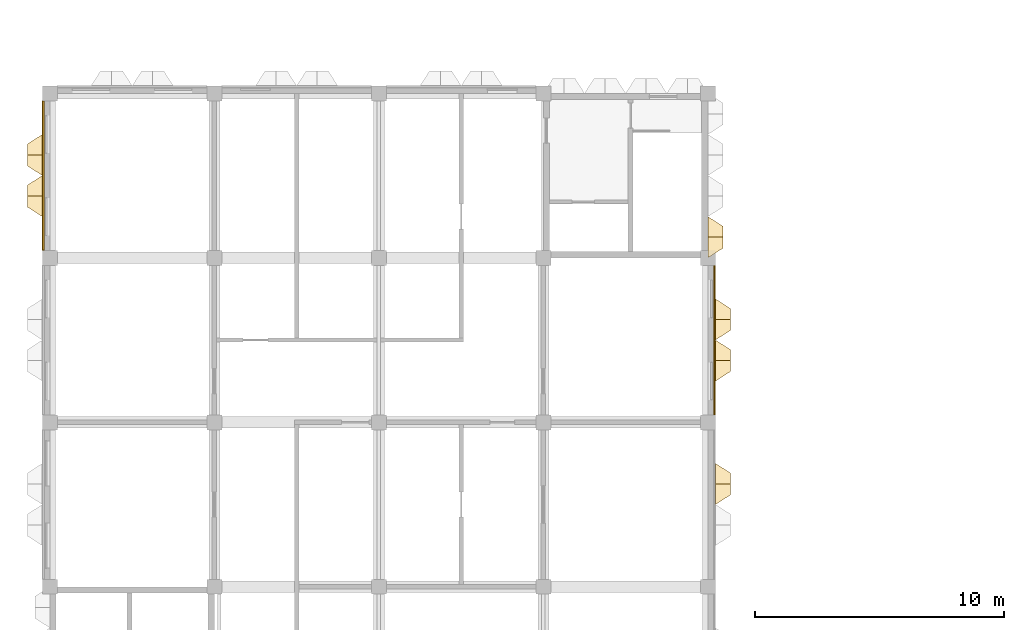
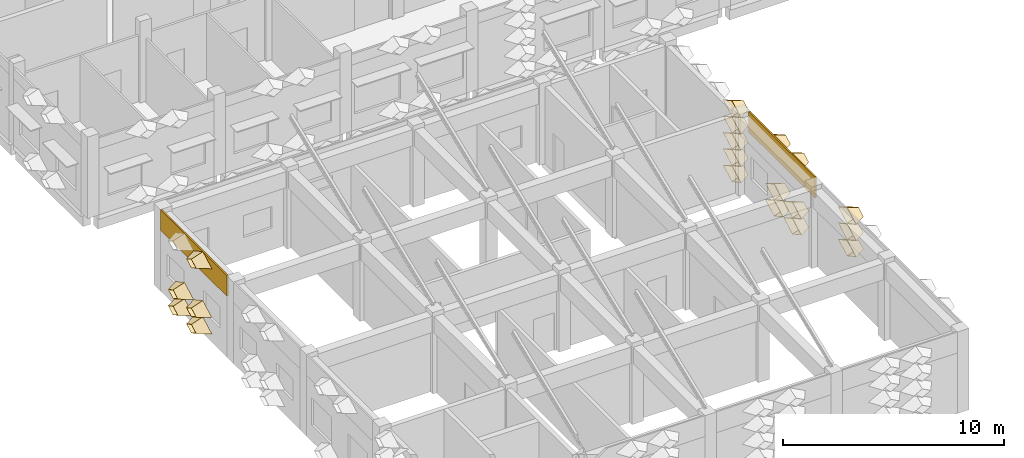
# One storey, part 82 of 102: 21 coverings.
"""IFC4 building model written with IfcOpenShell, lengths in metres."""

from ifc_helpers import new_model, entity, si_unit, direction, frame, frame_2d, origin, place, context, subcontext, project, spatial, rectangle, extrude, material, layer, layer_set, type_object, element, save


model = new_model("IFC4")

# Units and contexts
model_context = context("Model", 3, precision=1e-05, world=origin(), true_north=direction((0.0, 1.0)))
body_context = subcontext(model_context, "Body", "Model", "MODEL_VIEW")
ifc_project = project(units=[si_unit("LENGTHUNIT", "METRE"), si_unit("AREAUNIT", "SQUARE_METRE"), si_unit("VOLUMEUNIT", "CUBIC_METRE"), si_unit("PLANEANGLEUNIT", "RADIAN"), si_unit("MASSUNIT", "GRAM", prefix="KILO")], contexts=[model_context])

# Site, building, storey
site_placement = place(None, origin())
site = spatial("IfcSite", under=ifc_project, at=site_placement, CompositionType="ELEMENT")
building_placement = place(site_placement, origin())
building = spatial("IfcBuilding", under=site, at=building_placement, Name="Lantern Court Research Institute", CompositionType="ELEMENT")
storey_placement = place(building_placement, frame((0.0, 0.0, 9.89990234375)))
storey = spatial("IfcBuildingStorey", under=building, at=storey_placement, Name="L02", CompositionType="ELEMENT", Elevation=9.89990234375)

# Coverings
ifc_material_1 = material(Name="Aluminium composite panel with mineral wool insulation", Category="aluminium")
ifc_layer_1 = layer(ifc_material_1, 0.074951171875)
ifc_layer_set_1 = layer_set([ifc_layer_1], Name="Aluminium composite panel with mineral wool insulation")
covering_type_1 = type_object("IfcCoveringType", Name="Edge fascia panel 75 aluminium faced", PredefinedType="CLADDING", material=ifc_layer_set_1)
for number, where, z_axis, x_axis, name in (
    (1, (26.66259765625, 69.0, 3.35009765625), (0.0, 0.0, 1.0), (0.0, -1.0, 0.0), "Edge fascia V3E L02 03"),
    (2, (-0.262451171875, 69.60009765625, 3.35009765625), (0.0, 0.0, 1.0), (0.0, 1.0, 0.0), "Edge fascia V3W L02 03"),
):
    element("IfcCovering", number, at=place(storey_placement, frame(where, z_axis=z_axis, x_axis=x_axis)), inside=storey, type_object=covering_type_1, Name=name, PredefinedType="CLADDING", context=body_context, shape_type="SweptSolid", body=[
        extrude(rectangle(XDim=6.0, YDim=0.074951171875, at=frame_2d((3.0, 0.0))), origin(), (0.0, 0.0, 1.0), 1.14990234375),
    ])
ifc_material_2 = material(Name="Anodised aluminium", Category="aluminium")
ifc_layer_2 = layer(ifc_material_2, 0.01611328125)
ifc_layer_set_2 = layer_set([ifc_layer_2], Name="Anodised aluminium")
covering_type_2 = type_object("IfcCoveringType", Name="Fin cassette 1650 x 900 x 600 aluminium", PredefinedType="CLADDING", material=ifc_layer_set_2)
covering_1_placement = place(storey_placement, frame((26.39990234375, 70.125, 0.4501953125), z_axis=(1.0, 0.0, 0.0), x_axis=(0.0, 1.0, 0.0)))
cartesian_point_1 = entity("IfcCartesianPoint", [0.824951171875, 0.0])
cartesian_point_2 = entity("IfcCartesianPoint", [0.79150390625, 0.0])
cartesian_point_3 = entity("IfcCartesianPoint", [0.44189453125, 0.0])
cartesian_point_4 = entity("IfcCartesianPoint", [0.43359375, 0.0])
element("IfcCovering", 3, at=covering_1_placement, inside=storey, type_object=covering_type_2, Name="Fin cassette V3E-L02 1.43", PredefinedType="CLADDING", context=body_context, shape_type="SweptSolid", body=[
    entity("IfcExtrudedAreaSolidTapered", entity("IfcArbitraryProfileDefWithVoids", "AREA", None, entity("IfcPolyline", [cartesian_point_1, entity("IfcCartesianPoint", [0.0, 0.449951171875]), entity("IfcCartesianPoint", [-0.824951171875, 0.0]), entity("IfcCartesianPoint", [0.0, -0.449951171875]), cartesian_point_1]), [entity("IfcPolyline", [cartesian_point_2, entity("IfcCartesianPoint", [0.0, 0.431884765625]), entity("IfcCartesianPoint", [-0.79150390625, 0.0]), entity("IfcCartesianPoint", [0.0, -0.431884765625]), cartesian_point_2])]), entity("IfcAxis2Placement3D", entity("IfcCartesianPoint", [0.0, 0.0, 0.0])), entity("IfcDirection", [0.0, 0.0, 1.0]), 0.60009765625, entity("IfcArbitraryProfileDefWithVoids", "AREA", None, entity("IfcPolyline", [cartesian_point_3, entity("IfcCartesianPoint", [0.0, 0.240966796875]), entity("IfcCartesianPoint", [-0.44189453125, 0.0]), entity("IfcCartesianPoint", [0.0, -0.240966796875]), cartesian_point_3]), [entity("IfcPolyline", [cartesian_point_4, entity("IfcCartesianPoint", [0.0, 0.236572265625]), entity("IfcCartesianPoint", [-0.43359375, 0.0]), entity("IfcCartesianPoint", [0.0, -0.236572265625]), cartesian_point_4])])),
])
covering_2_placement = place(storey_placement, frame((26.39990234375, 70.125, 1.35009765625), z_axis=(1.0, 0.0, 0.0), x_axis=(0.0, 1.0, 0.0)))
cartesian_point_5 = entity("IfcCartesianPoint", [0.824951171875, 0.0])
cartesian_point_6 = entity("IfcCartesianPoint", [0.79150390625, 0.0])
cartesian_point_7 = entity("IfcCartesianPoint", [0.44189453125, 0.0])
cartesian_point_8 = entity("IfcCartesianPoint", [0.43359375, 0.0])
element("IfcCovering", 4, at=covering_2_placement, inside=storey, type_object=covering_type_2, Name="Fin cassette V3E-L02 2.43", PredefinedType="CLADDING", context=body_context, shape_type="SweptSolid", body=[
    entity("IfcExtrudedAreaSolidTapered", entity("IfcArbitraryProfileDefWithVoids", "AREA", None, entity("IfcPolyline", [cartesian_point_5, entity("IfcCartesianPoint", [0.0, 0.449951171875]), entity("IfcCartesianPoint", [-0.824951171875, 0.0]), entity("IfcCartesianPoint", [0.0, -0.449951171875]), cartesian_point_5]), [entity("IfcPolyline", [cartesian_point_6, entity("IfcCartesianPoint", [0.0, 0.431884765625]), entity("IfcCartesianPoint", [-0.79150390625, 0.0]), entity("IfcCartesianPoint", [0.0, -0.431884765625]), cartesian_point_6])]), entity("IfcAxis2Placement3D", entity("IfcCartesianPoint", [0.0, 0.0, 0.0])), entity("IfcDirection", [0.0, 0.0, 1.0]), 0.60009765625, entity("IfcArbitraryProfileDefWithVoids", "AREA", None, entity("IfcPolyline", [cartesian_point_7, entity("IfcCartesianPoint", [0.0, 0.240966796875]), entity("IfcCartesianPoint", [-0.44189453125, 0.0]), entity("IfcCartesianPoint", [0.0, -0.240966796875]), cartesian_point_7]), [entity("IfcPolyline", [cartesian_point_8, entity("IfcCartesianPoint", [0.0, 0.236572265625]), entity("IfcCartesianPoint", [-0.43359375, 0.0]), entity("IfcCartesianPoint", [0.0, -0.236572265625]), cartesian_point_8])])),
])
covering_3_placement = place(storey_placement, frame((26.39990234375, 70.125, 2.25), z_axis=(1.0, 0.0, 0.0), x_axis=(0.0, 1.0, 0.0)))
cartesian_point_9 = entity("IfcCartesianPoint", [0.824951171875, 0.0])
cartesian_point_10 = entity("IfcCartesianPoint", [0.79150390625, 0.0])
cartesian_point_11 = entity("IfcCartesianPoint", [0.44189453125, 0.0])
cartesian_point_12 = entity("IfcCartesianPoint", [0.43359375, 0.0])
element("IfcCovering", 5, at=covering_3_placement, inside=storey, type_object=covering_type_2, Name="Fin cassette V3E-L02 3.43", PredefinedType="CLADDING", context=body_context, shape_type="SweptSolid", body=[
    entity("IfcExtrudedAreaSolidTapered", entity("IfcArbitraryProfileDefWithVoids", "AREA", None, entity("IfcPolyline", [cartesian_point_9, entity("IfcCartesianPoint", [0.0, 0.449951171875]), entity("IfcCartesianPoint", [-0.824951171875, 0.0]), entity("IfcCartesianPoint", [0.0, -0.449951171875]), cartesian_point_9]), [entity("IfcPolyline", [cartesian_point_10, entity("IfcCartesianPoint", [0.0, 0.431884765625]), entity("IfcCartesianPoint", [-0.79150390625, 0.0]), entity("IfcCartesianPoint", [0.0, -0.431884765625]), cartesian_point_10])]), entity("IfcAxis2Placement3D", entity("IfcCartesianPoint", [0.0, 0.0, 0.0])), entity("IfcDirection", [0.0, 0.0, 1.0]), 0.60009765625, entity("IfcArbitraryProfileDefWithVoids", "AREA", None, entity("IfcPolyline", [cartesian_point_11, entity("IfcCartesianPoint", [0.0, 0.240966796875]), entity("IfcCartesianPoint", [-0.44189453125, 0.0]), entity("IfcCartesianPoint", [0.0, -0.240966796875]), cartesian_point_11]), [entity("IfcPolyline", [cartesian_point_12, entity("IfcCartesianPoint", [0.0, 0.236572265625]), entity("IfcCartesianPoint", [-0.43359375, 0.0]), entity("IfcCartesianPoint", [0.0, -0.236572265625]), cartesian_point_12])])),
])
covering_4_placement = place(storey_placement, frame((26.39990234375, 70.125, 3.150146484375), z_axis=(1.0, 0.0, 0.0), x_axis=(0.0, 1.0, 0.0)))
cartesian_point_13 = entity("IfcCartesianPoint", [0.824951171875, 0.0])
cartesian_point_14 = entity("IfcCartesianPoint", [0.79150390625, 0.0])
cartesian_point_15 = entity("IfcCartesianPoint", [0.44189453125, 0.0])
cartesian_point_16 = entity("IfcCartesianPoint", [0.43359375, 0.0])
element("IfcCovering", 6, at=covering_4_placement, inside=storey, type_object=covering_type_2, Name="Fin cassette V3E-L02 4.43", PredefinedType="CLADDING", context=body_context, shape_type="SweptSolid", body=[
    entity("IfcExtrudedAreaSolidTapered", entity("IfcArbitraryProfileDefWithVoids", "AREA", None, entity("IfcPolyline", [cartesian_point_13, entity("IfcCartesianPoint", [0.0, 0.449951171875]), entity("IfcCartesianPoint", [-0.824951171875, 0.0]), entity("IfcCartesianPoint", [0.0, -0.449951171875]), cartesian_point_13]), [entity("IfcPolyline", [cartesian_point_14, entity("IfcCartesianPoint", [0.0, 0.431884765625]), entity("IfcCartesianPoint", [-0.79150390625, 0.0]), entity("IfcCartesianPoint", [0.0, -0.431884765625]), cartesian_point_14])]), entity("IfcAxis2Placement3D", entity("IfcCartesianPoint", [0.0, 0.0, 0.0])), entity("IfcDirection", [0.0, 0.0, 1.0]), 0.60009765625, entity("IfcArbitraryProfileDefWithVoids", "AREA", None, entity("IfcPolyline", [cartesian_point_15, entity("IfcCartesianPoint", [0.0, 0.240966796875]), entity("IfcCartesianPoint", [-0.44189453125, 0.0]), entity("IfcCartesianPoint", [0.0, -0.240966796875]), cartesian_point_15]), [entity("IfcPolyline", [cartesian_point_16, entity("IfcCartesianPoint", [0.0, 0.236572265625]), entity("IfcCartesianPoint", [-0.43359375, 0.0]), entity("IfcCartesianPoint", [0.0, -0.236572265625]), cartesian_point_16])])),
])
covering_5_placement = place(storey_placement, frame((26.39990234375, 70.125, 4.050048828125), z_axis=(1.0, 0.0, 0.0), x_axis=(0.0, 1.0, 0.0)))
cartesian_point_17 = entity("IfcCartesianPoint", [0.824951171875, 0.0])
cartesian_point_18 = entity("IfcCartesianPoint", [0.79150390625, 0.0])
cartesian_point_19 = entity("IfcCartesianPoint", [0.44189453125, 0.0])
cartesian_point_20 = entity("IfcCartesianPoint", [0.43359375, 0.0])
element("IfcCovering", 7, at=covering_5_placement, inside=storey, type_object=covering_type_2, Name="Fin cassette V3E-L02 5.43", PredefinedType="CLADDING", context=body_context, shape_type="SweptSolid", body=[
    entity("IfcExtrudedAreaSolidTapered", entity("IfcArbitraryProfileDefWithVoids", "AREA", None, entity("IfcPolyline", [cartesian_point_17, entity("IfcCartesianPoint", [0.0, 0.449951171875]), entity("IfcCartesianPoint", [-0.824951171875, 0.0]), entity("IfcCartesianPoint", [0.0, -0.449951171875]), cartesian_point_17]), [entity("IfcPolyline", [cartesian_point_18, entity("IfcCartesianPoint", [0.0, 0.431884765625]), entity("IfcCartesianPoint", [-0.79150390625, 0.0]), entity("IfcCartesianPoint", [0.0, -0.431884765625]), cartesian_point_18])]), entity("IfcAxis2Placement3D", entity("IfcCartesianPoint", [0.0, 0.0, 0.0])), entity("IfcDirection", [0.0, 0.0, 1.0]), 0.60009765625, entity("IfcArbitraryProfileDefWithVoids", "AREA", None, entity("IfcPolyline", [cartesian_point_19, entity("IfcCartesianPoint", [0.0, 0.240966796875]), entity("IfcCartesianPoint", [-0.44189453125, 0.0]), entity("IfcCartesianPoint", [0.0, -0.240966796875]), cartesian_point_19]), [entity("IfcPolyline", [cartesian_point_20, entity("IfcCartesianPoint", [0.0, 0.236572265625]), entity("IfcCartesianPoint", [-0.43359375, 0.0]), entity("IfcCartesianPoint", [0.0, -0.236572265625]), cartesian_point_20])])),
])
covering_6_placement = place(storey_placement, frame((26.699951171875, 65.175048828125, 0.4501953125), z_axis=(1.0, 0.0, 0.0), x_axis=(0.0, 1.0, 0.0)))
cartesian_point_21 = entity("IfcCartesianPoint", [0.824951171875, 0.0])
cartesian_point_22 = entity("IfcCartesianPoint", [0.79150390625, 0.0])
cartesian_point_23 = entity("IfcCartesianPoint", [0.44189453125, 0.0])
cartesian_point_24 = entity("IfcCartesianPoint", [0.43359375, 0.0])
element("IfcCovering", 8, at=covering_6_placement, inside=storey, type_object=covering_type_2, Name="Fin cassette V3E-L02 1.40", PredefinedType="CLADDING", context=body_context, shape_type="SweptSolid", body=[
    entity("IfcExtrudedAreaSolidTapered", entity("IfcArbitraryProfileDefWithVoids", "AREA", None, entity("IfcPolyline", [cartesian_point_21, entity("IfcCartesianPoint", [0.0, 0.449951171875]), entity("IfcCartesianPoint", [-0.824951171875, 0.0]), entity("IfcCartesianPoint", [0.0, -0.449951171875]), cartesian_point_21]), [entity("IfcPolyline", [cartesian_point_22, entity("IfcCartesianPoint", [0.0, 0.431884765625]), entity("IfcCartesianPoint", [-0.79150390625, 0.0]), entity("IfcCartesianPoint", [0.0, -0.431884765625]), cartesian_point_22])]), entity("IfcAxis2Placement3D", entity("IfcCartesianPoint", [0.0, 0.0, 0.0])), entity("IfcDirection", [0.0, 0.0, 1.0]), 0.60009765625, entity("IfcArbitraryProfileDefWithVoids", "AREA", None, entity("IfcPolyline", [cartesian_point_23, entity("IfcCartesianPoint", [0.0, 0.240966796875]), entity("IfcCartesianPoint", [-0.44189453125, 0.0]), entity("IfcCartesianPoint", [0.0, -0.240966796875]), cartesian_point_23]), [entity("IfcPolyline", [cartesian_point_24, entity("IfcCartesianPoint", [0.0, 0.236572265625]), entity("IfcCartesianPoint", [-0.43359375, 0.0]), entity("IfcCartesianPoint", [0.0, -0.236572265625]), cartesian_point_24])])),
])
covering_7_placement = place(storey_placement, frame((26.699951171875, 66.824951171875, 0.4501953125), z_axis=(1.0, 0.0, 0.0), x_axis=(0.0, 1.0, 0.0)))
cartesian_point_25 = entity("IfcCartesianPoint", [0.824951171875, 0.0])
cartesian_point_26 = entity("IfcCartesianPoint", [0.79150390625, 0.0])
cartesian_point_27 = entity("IfcCartesianPoint", [0.44189453125, 0.0])
cartesian_point_28 = entity("IfcCartesianPoint", [0.43359375, 0.0])
element("IfcCovering", 9, at=covering_7_placement, inside=storey, type_object=covering_type_2, Name="Fin cassette V3E-L02 1.41", PredefinedType="CLADDING", context=body_context, shape_type="SweptSolid", body=[
    entity("IfcExtrudedAreaSolidTapered", entity("IfcArbitraryProfileDefWithVoids", "AREA", None, entity("IfcPolyline", [cartesian_point_25, entity("IfcCartesianPoint", [0.0, 0.449951171875]), entity("IfcCartesianPoint", [-0.824951171875, 0.0]), entity("IfcCartesianPoint", [0.0, -0.449951171875]), cartesian_point_25]), [entity("IfcPolyline", [cartesian_point_26, entity("IfcCartesianPoint", [0.0, 0.431884765625]), entity("IfcCartesianPoint", [-0.79150390625, 0.0]), entity("IfcCartesianPoint", [0.0, -0.431884765625]), cartesian_point_26])]), entity("IfcAxis2Placement3D", entity("IfcCartesianPoint", [0.0, 0.0, 0.0])), entity("IfcDirection", [0.0, 0.0, 1.0]), 0.60009765625, entity("IfcArbitraryProfileDefWithVoids", "AREA", None, entity("IfcPolyline", [cartesian_point_27, entity("IfcCartesianPoint", [0.0, 0.240966796875]), entity("IfcCartesianPoint", [-0.44189453125, 0.0]), entity("IfcCartesianPoint", [0.0, -0.240966796875]), cartesian_point_27]), [entity("IfcPolyline", [cartesian_point_28, entity("IfcCartesianPoint", [0.0, 0.236572265625]), entity("IfcCartesianPoint", [-0.43359375, 0.0]), entity("IfcCartesianPoint", [0.0, -0.236572265625]), cartesian_point_28])])),
])
covering_8_placement = place(storey_placement, frame((26.699951171875, 65.175048828125, 1.35009765625), z_axis=(1.0, 0.0, 0.0), x_axis=(0.0, 1.0, 0.0)))
cartesian_point_29 = entity("IfcCartesianPoint", [0.824951171875, 0.0])
cartesian_point_30 = entity("IfcCartesianPoint", [0.79150390625, 0.0])
cartesian_point_31 = entity("IfcCartesianPoint", [0.44189453125, 0.0])
cartesian_point_32 = entity("IfcCartesianPoint", [0.43359375, 0.0])
element("IfcCovering", 10, at=covering_8_placement, inside=storey, type_object=covering_type_2, Name="Fin cassette V3E-L02 2.40", PredefinedType="CLADDING", context=body_context, shape_type="SweptSolid", body=[
    entity("IfcExtrudedAreaSolidTapered", entity("IfcArbitraryProfileDefWithVoids", "AREA", None, entity("IfcPolyline", [cartesian_point_29, entity("IfcCartesianPoint", [0.0, 0.449951171875]), entity("IfcCartesianPoint", [-0.824951171875, 0.0]), entity("IfcCartesianPoint", [0.0, -0.449951171875]), cartesian_point_29]), [entity("IfcPolyline", [cartesian_point_30, entity("IfcCartesianPoint", [0.0, 0.431884765625]), entity("IfcCartesianPoint", [-0.79150390625, 0.0]), entity("IfcCartesianPoint", [0.0, -0.431884765625]), cartesian_point_30])]), entity("IfcAxis2Placement3D", entity("IfcCartesianPoint", [0.0, 0.0, 0.0])), entity("IfcDirection", [0.0, 0.0, 1.0]), 0.60009765625, entity("IfcArbitraryProfileDefWithVoids", "AREA", None, entity("IfcPolyline", [cartesian_point_31, entity("IfcCartesianPoint", [0.0, 0.240966796875]), entity("IfcCartesianPoint", [-0.44189453125, 0.0]), entity("IfcCartesianPoint", [0.0, -0.240966796875]), cartesian_point_31]), [entity("IfcPolyline", [cartesian_point_32, entity("IfcCartesianPoint", [0.0, 0.236572265625]), entity("IfcCartesianPoint", [-0.43359375, 0.0]), entity("IfcCartesianPoint", [0.0, -0.236572265625]), cartesian_point_32])])),
])
covering_9_placement = place(storey_placement, frame((26.699951171875, 66.824951171875, 1.35009765625), z_axis=(1.0, 0.0, 0.0), x_axis=(0.0, 1.0, 0.0)))
cartesian_point_33 = entity("IfcCartesianPoint", [0.824951171875, 0.0])
cartesian_point_34 = entity("IfcCartesianPoint", [0.79150390625, 0.0])
cartesian_point_35 = entity("IfcCartesianPoint", [0.44189453125, 0.0])
cartesian_point_36 = entity("IfcCartesianPoint", [0.43359375, 0.0])
element("IfcCovering", 11, at=covering_9_placement, inside=storey, type_object=covering_type_2, Name="Fin cassette V3E-L02 2.41", PredefinedType="CLADDING", context=body_context, shape_type="SweptSolid", body=[
    entity("IfcExtrudedAreaSolidTapered", entity("IfcArbitraryProfileDefWithVoids", "AREA", None, entity("IfcPolyline", [cartesian_point_33, entity("IfcCartesianPoint", [0.0, 0.449951171875]), entity("IfcCartesianPoint", [-0.824951171875, 0.0]), entity("IfcCartesianPoint", [0.0, -0.449951171875]), cartesian_point_33]), [entity("IfcPolyline", [cartesian_point_34, entity("IfcCartesianPoint", [0.0, 0.431884765625]), entity("IfcCartesianPoint", [-0.79150390625, 0.0]), entity("IfcCartesianPoint", [0.0, -0.431884765625]), cartesian_point_34])]), entity("IfcAxis2Placement3D", entity("IfcCartesianPoint", [0.0, 0.0, 0.0])), entity("IfcDirection", [0.0, 0.0, 1.0]), 0.60009765625, entity("IfcArbitraryProfileDefWithVoids", "AREA", None, entity("IfcPolyline", [cartesian_point_35, entity("IfcCartesianPoint", [0.0, 0.240966796875]), entity("IfcCartesianPoint", [-0.44189453125, 0.0]), entity("IfcCartesianPoint", [0.0, -0.240966796875]), cartesian_point_35]), [entity("IfcPolyline", [cartesian_point_36, entity("IfcCartesianPoint", [0.0, 0.236572265625]), entity("IfcCartesianPoint", [-0.43359375, 0.0]), entity("IfcCartesianPoint", [0.0, -0.236572265625]), cartesian_point_36])])),
])
covering_10_placement = place(storey_placement, frame((26.699951171875, 60.22509765625, 2.25), z_axis=(1.0, 0.0, 0.0), x_axis=(0.0, 1.0, 0.0)))
cartesian_point_37 = entity("IfcCartesianPoint", [0.824951171875, 0.0])
cartesian_point_38 = entity("IfcCartesianPoint", [0.79150390625, 0.0])
cartesian_point_39 = entity("IfcCartesianPoint", [0.44189453125, 0.0])
cartesian_point_40 = entity("IfcCartesianPoint", [0.43359375, 0.0])
element("IfcCovering", 12, at=covering_10_placement, inside=storey, type_object=covering_type_2, Name="Fin cassette V3E-L02 3.37", PredefinedType="CLADDING", context=body_context, shape_type="SweptSolid", body=[
    entity("IfcExtrudedAreaSolidTapered", entity("IfcArbitraryProfileDefWithVoids", "AREA", None, entity("IfcPolyline", [cartesian_point_37, entity("IfcCartesianPoint", [0.0, 0.449951171875]), entity("IfcCartesianPoint", [-0.824951171875, 0.0]), entity("IfcCartesianPoint", [0.0, -0.449951171875]), cartesian_point_37]), [entity("IfcPolyline", [cartesian_point_38, entity("IfcCartesianPoint", [0.0, 0.431884765625]), entity("IfcCartesianPoint", [-0.79150390625, 0.0]), entity("IfcCartesianPoint", [0.0, -0.431884765625]), cartesian_point_38])]), entity("IfcAxis2Placement3D", entity("IfcCartesianPoint", [0.0, 0.0, 0.0])), entity("IfcDirection", [0.0, 0.0, 1.0]), 0.60009765625, entity("IfcArbitraryProfileDefWithVoids", "AREA", None, entity("IfcPolyline", [cartesian_point_39, entity("IfcCartesianPoint", [0.0, 0.240966796875]), entity("IfcCartesianPoint", [-0.44189453125, 0.0]), entity("IfcCartesianPoint", [0.0, -0.240966796875]), cartesian_point_39]), [entity("IfcPolyline", [cartesian_point_40, entity("IfcCartesianPoint", [0.0, 0.236572265625]), entity("IfcCartesianPoint", [-0.43359375, 0.0]), entity("IfcCartesianPoint", [0.0, -0.236572265625]), cartesian_point_40])])),
])
covering_11_placement = place(storey_placement, frame((26.699951171875, 60.22509765625, 3.150146484375), z_axis=(1.0, 0.0, 0.0), x_axis=(0.0, 1.0, 0.0)))
cartesian_point_41 = entity("IfcCartesianPoint", [0.824951171875, 0.0])
cartesian_point_42 = entity("IfcCartesianPoint", [0.79150390625, 0.0])
cartesian_point_43 = entity("IfcCartesianPoint", [0.44189453125, 0.0])
cartesian_point_44 = entity("IfcCartesianPoint", [0.43359375, 0.0])
element("IfcCovering", 13, at=covering_11_placement, inside=storey, type_object=covering_type_2, Name="Fin cassette V3E-L02 4.37", PredefinedType="CLADDING", context=body_context, shape_type="SweptSolid", body=[
    entity("IfcExtrudedAreaSolidTapered", entity("IfcArbitraryProfileDefWithVoids", "AREA", None, entity("IfcPolyline", [cartesian_point_41, entity("IfcCartesianPoint", [0.0, 0.449951171875]), entity("IfcCartesianPoint", [-0.824951171875, 0.0]), entity("IfcCartesianPoint", [0.0, -0.449951171875]), cartesian_point_41]), [entity("IfcPolyline", [cartesian_point_42, entity("IfcCartesianPoint", [0.0, 0.431884765625]), entity("IfcCartesianPoint", [-0.79150390625, 0.0]), entity("IfcCartesianPoint", [0.0, -0.431884765625]), cartesian_point_42])]), entity("IfcAxis2Placement3D", entity("IfcCartesianPoint", [0.0, 0.0, 0.0])), entity("IfcDirection", [0.0, 0.0, 1.0]), 0.60009765625, entity("IfcArbitraryProfileDefWithVoids", "AREA", None, entity("IfcPolyline", [cartesian_point_43, entity("IfcCartesianPoint", [0.0, 0.240966796875]), entity("IfcCartesianPoint", [-0.44189453125, 0.0]), entity("IfcCartesianPoint", [0.0, -0.240966796875]), cartesian_point_43]), [entity("IfcPolyline", [cartesian_point_44, entity("IfcCartesianPoint", [0.0, 0.236572265625]), entity("IfcCartesianPoint", [-0.43359375, 0.0]), entity("IfcCartesianPoint", [0.0, -0.236572265625]), cartesian_point_44])])),
])
covering_12_placement = place(storey_placement, frame((26.699951171875, 60.22509765625, 4.050048828125), z_axis=(1.0, 0.0, 0.0), x_axis=(0.0, 1.0, 0.0)))
cartesian_point_45 = entity("IfcCartesianPoint", [0.824951171875, 0.0])
cartesian_point_46 = entity("IfcCartesianPoint", [0.79150390625, 0.0])
cartesian_point_47 = entity("IfcCartesianPoint", [0.44189453125, 0.0])
cartesian_point_48 = entity("IfcCartesianPoint", [0.43359375, 0.0])
element("IfcCovering", 14, at=covering_12_placement, inside=storey, type_object=covering_type_2, Name="Fin cassette V3E-L02 5.37", PredefinedType="CLADDING", context=body_context, shape_type="SweptSolid", body=[
    entity("IfcExtrudedAreaSolidTapered", entity("IfcArbitraryProfileDefWithVoids", "AREA", None, entity("IfcPolyline", [cartesian_point_45, entity("IfcCartesianPoint", [0.0, 0.449951171875]), entity("IfcCartesianPoint", [-0.824951171875, 0.0]), entity("IfcCartesianPoint", [0.0, -0.449951171875]), cartesian_point_45]), [entity("IfcPolyline", [cartesian_point_46, entity("IfcCartesianPoint", [0.0, 0.431884765625]), entity("IfcCartesianPoint", [-0.79150390625, 0.0]), entity("IfcCartesianPoint", [0.0, -0.431884765625]), cartesian_point_46])]), entity("IfcAxis2Placement3D", entity("IfcCartesianPoint", [0.0, 0.0, 0.0])), entity("IfcDirection", [0.0, 0.0, 1.0]), 0.60009765625, entity("IfcArbitraryProfileDefWithVoids", "AREA", None, entity("IfcPolyline", [cartesian_point_47, entity("IfcCartesianPoint", [0.0, 0.240966796875]), entity("IfcCartesianPoint", [-0.44189453125, 0.0]), entity("IfcCartesianPoint", [0.0, -0.240966796875]), cartesian_point_47]), [entity("IfcPolyline", [cartesian_point_48, entity("IfcCartesianPoint", [0.0, 0.236572265625]), entity("IfcCartesianPoint", [-0.43359375, 0.0]), entity("IfcCartesianPoint", [0.0, -0.236572265625]), cartesian_point_48])])),
])
covering_13_placement = place(storey_placement, frame((26.699951171875, 65.175048828125, 4.050048828125), z_axis=(1.0, 0.0, 0.0), x_axis=(0.0, 1.0, 0.0)))
cartesian_point_49 = entity("IfcCartesianPoint", [0.824951171875, 0.0])
cartesian_point_50 = entity("IfcCartesianPoint", [0.79150390625, 0.0])
cartesian_point_51 = entity("IfcCartesianPoint", [0.44189453125, 0.0])
cartesian_point_52 = entity("IfcCartesianPoint", [0.43359375, 0.0])
element("IfcCovering", 15, at=covering_13_placement, inside=storey, type_object=covering_type_2, Name="Fin cassette V3E-L02 5.40", PredefinedType="CLADDING", context=body_context, shape_type="SweptSolid", body=[
    entity("IfcExtrudedAreaSolidTapered", entity("IfcArbitraryProfileDefWithVoids", "AREA", None, entity("IfcPolyline", [cartesian_point_49, entity("IfcCartesianPoint", [0.0, 0.449951171875]), entity("IfcCartesianPoint", [-0.824951171875, 0.0]), entity("IfcCartesianPoint", [0.0, -0.449951171875]), cartesian_point_49]), [entity("IfcPolyline", [cartesian_point_50, entity("IfcCartesianPoint", [0.0, 0.431884765625]), entity("IfcCartesianPoint", [-0.79150390625, 0.0]), entity("IfcCartesianPoint", [0.0, -0.431884765625]), cartesian_point_50])]), entity("IfcAxis2Placement3D", entity("IfcCartesianPoint", [0.0, 0.0, 0.0])), entity("IfcDirection", [0.0, 0.0, 1.0]), 0.60009765625, entity("IfcArbitraryProfileDefWithVoids", "AREA", None, entity("IfcPolyline", [cartesian_point_51, entity("IfcCartesianPoint", [0.0, 0.240966796875]), entity("IfcCartesianPoint", [-0.44189453125, 0.0]), entity("IfcCartesianPoint", [0.0, -0.240966796875]), cartesian_point_51]), [entity("IfcPolyline", [cartesian_point_52, entity("IfcCartesianPoint", [0.0, 0.236572265625]), entity("IfcCartesianPoint", [-0.43359375, 0.0]), entity("IfcCartesianPoint", [0.0, -0.236572265625]), cartesian_point_52])])),
])
covering_14_placement = place(storey_placement, frame((26.699951171875, 66.824951171875, 4.050048828125), z_axis=(1.0, 0.0, 0.0), x_axis=(0.0, 1.0, 0.0)))
cartesian_point_53 = entity("IfcCartesianPoint", [0.824951171875, 0.0])
cartesian_point_54 = entity("IfcCartesianPoint", [0.79150390625, 0.0])
cartesian_point_55 = entity("IfcCartesianPoint", [0.44189453125, 0.0])
cartesian_point_56 = entity("IfcCartesianPoint", [0.43359375, 0.0])
element("IfcCovering", 16, at=covering_14_placement, inside=storey, type_object=covering_type_2, Name="Fin cassette V3E-L02 5.41", PredefinedType="CLADDING", context=body_context, shape_type="SweptSolid", body=[
    entity("IfcExtrudedAreaSolidTapered", entity("IfcArbitraryProfileDefWithVoids", "AREA", None, entity("IfcPolyline", [cartesian_point_53, entity("IfcCartesianPoint", [0.0, 0.449951171875]), entity("IfcCartesianPoint", [-0.824951171875, 0.0]), entity("IfcCartesianPoint", [0.0, -0.449951171875]), cartesian_point_53]), [entity("IfcPolyline", [cartesian_point_54, entity("IfcCartesianPoint", [0.0, 0.431884765625]), entity("IfcCartesianPoint", [-0.79150390625, 0.0]), entity("IfcCartesianPoint", [0.0, -0.431884765625]), cartesian_point_54])]), entity("IfcAxis2Placement3D", entity("IfcCartesianPoint", [0.0, 0.0, 0.0])), entity("IfcDirection", [0.0, 0.0, 1.0]), 0.60009765625, entity("IfcArbitraryProfileDefWithVoids", "AREA", None, entity("IfcPolyline", [cartesian_point_55, entity("IfcCartesianPoint", [0.0, 0.240966796875]), entity("IfcCartesianPoint", [-0.44189453125, 0.0]), entity("IfcCartesianPoint", [0.0, -0.240966796875]), cartesian_point_55]), [entity("IfcPolyline", [cartesian_point_56, entity("IfcCartesianPoint", [0.0, 0.236572265625]), entity("IfcCartesianPoint", [-0.43359375, 0.0]), entity("IfcCartesianPoint", [0.0, -0.236572265625]), cartesian_point_56])])),
])
covering_15_placement = place(storey_placement, frame((-0.300048828125, 71.77490234375, 0.4501953125), z_axis=(-1.0, 0.0, 0.0), x_axis=(0.0, -1.0, 0.0)))
cartesian_point_57 = entity("IfcCartesianPoint", [0.824951171875, 0.0])
cartesian_point_58 = entity("IfcCartesianPoint", [0.79150390625, 0.0])
cartesian_point_59 = entity("IfcCartesianPoint", [0.44189453125, 0.0])
cartesian_point_60 = entity("IfcCartesianPoint", [0.43359375, 0.0])
element("IfcCovering", 17, at=covering_15_placement, inside=storey, type_object=covering_type_2, Name="Fin cassette V3W-L02 1.44", PredefinedType="CLADDING", context=body_context, shape_type="SweptSolid", body=[
    entity("IfcExtrudedAreaSolidTapered", entity("IfcArbitraryProfileDefWithVoids", "AREA", None, entity("IfcPolyline", [cartesian_point_57, entity("IfcCartesianPoint", [0.0, 0.449951171875]), entity("IfcCartesianPoint", [-0.824951171875, 0.0]), entity("IfcCartesianPoint", [0.0, -0.449951171875]), cartesian_point_57]), [entity("IfcPolyline", [cartesian_point_58, entity("IfcCartesianPoint", [0.0, 0.431884765625]), entity("IfcCartesianPoint", [-0.79150390625, 0.0]), entity("IfcCartesianPoint", [0.0, -0.431884765625]), cartesian_point_58])]), entity("IfcAxis2Placement3D", entity("IfcCartesianPoint", [0.0, 0.0, 0.0])), entity("IfcDirection", [0.0, 0.0, 1.0]), 0.60009765625, entity("IfcArbitraryProfileDefWithVoids", "AREA", None, entity("IfcPolyline", [cartesian_point_59, entity("IfcCartesianPoint", [0.0, 0.240966796875]), entity("IfcCartesianPoint", [-0.44189453125, 0.0]), entity("IfcCartesianPoint", [0.0, -0.240966796875]), cartesian_point_59]), [entity("IfcPolyline", [cartesian_point_60, entity("IfcCartesianPoint", [0.0, 0.236572265625]), entity("IfcCartesianPoint", [-0.43359375, 0.0]), entity("IfcCartesianPoint", [0.0, -0.236572265625]), cartesian_point_60])])),
])
covering_16_placement = place(storey_placement, frame((-0.300048828125, 73.425048828125, 0.4501953125), z_axis=(-1.0, 0.0, 0.0), x_axis=(0.0, -1.0, 0.0)))
cartesian_point_61 = entity("IfcCartesianPoint", [0.824951171875, 0.0])
cartesian_point_62 = entity("IfcCartesianPoint", [0.79150390625, 0.0])
cartesian_point_63 = entity("IfcCartesianPoint", [0.44189453125, 0.0])
cartesian_point_64 = entity("IfcCartesianPoint", [0.43359375, 0.0])
element("IfcCovering", 18, at=covering_16_placement, inside=storey, type_object=covering_type_2, Name="Fin cassette V3W-L02 1.45", PredefinedType="CLADDING", context=body_context, shape_type="SweptSolid", body=[
    entity("IfcExtrudedAreaSolidTapered", entity("IfcArbitraryProfileDefWithVoids", "AREA", None, entity("IfcPolyline", [cartesian_point_61, entity("IfcCartesianPoint", [0.0, 0.449951171875]), entity("IfcCartesianPoint", [-0.824951171875, 0.0]), entity("IfcCartesianPoint", [0.0, -0.449951171875]), cartesian_point_61]), [entity("IfcPolyline", [cartesian_point_62, entity("IfcCartesianPoint", [0.0, 0.431884765625]), entity("IfcCartesianPoint", [-0.79150390625, 0.0]), entity("IfcCartesianPoint", [0.0, -0.431884765625]), cartesian_point_62])]), entity("IfcAxis2Placement3D", entity("IfcCartesianPoint", [0.0, 0.0, 0.0])), entity("IfcDirection", [0.0, 0.0, 1.0]), 0.60009765625, entity("IfcArbitraryProfileDefWithVoids", "AREA", None, entity("IfcPolyline", [cartesian_point_63, entity("IfcCartesianPoint", [0.0, 0.240966796875]), entity("IfcCartesianPoint", [-0.44189453125, 0.0]), entity("IfcCartesianPoint", [0.0, -0.240966796875]), cartesian_point_63]), [entity("IfcPolyline", [cartesian_point_64, entity("IfcCartesianPoint", [0.0, 0.236572265625]), entity("IfcCartesianPoint", [-0.43359375, 0.0]), entity("IfcCartesianPoint", [0.0, -0.236572265625]), cartesian_point_64])])),
])
covering_17_placement = place(storey_placement, frame((-0.300048828125, 71.77490234375, 1.35009765625), z_axis=(-1.0, 0.0, 0.0), x_axis=(0.0, -1.0, 0.0)))
cartesian_point_65 = entity("IfcCartesianPoint", [0.824951171875, 0.0])
cartesian_point_66 = entity("IfcCartesianPoint", [0.79150390625, 0.0])
cartesian_point_67 = entity("IfcCartesianPoint", [0.44189453125, 0.0])
cartesian_point_68 = entity("IfcCartesianPoint", [0.43359375, 0.0])
element("IfcCovering", 19, at=covering_17_placement, inside=storey, type_object=covering_type_2, Name="Fin cassette V3W-L02 2.44", PredefinedType="CLADDING", context=body_context, shape_type="SweptSolid", body=[
    entity("IfcExtrudedAreaSolidTapered", entity("IfcArbitraryProfileDefWithVoids", "AREA", None, entity("IfcPolyline", [cartesian_point_65, entity("IfcCartesianPoint", [0.0, 0.449951171875]), entity("IfcCartesianPoint", [-0.824951171875, 0.0]), entity("IfcCartesianPoint", [0.0, -0.449951171875]), cartesian_point_65]), [entity("IfcPolyline", [cartesian_point_66, entity("IfcCartesianPoint", [0.0, 0.431884765625]), entity("IfcCartesianPoint", [-0.79150390625, 0.0]), entity("IfcCartesianPoint", [0.0, -0.431884765625]), cartesian_point_66])]), entity("IfcAxis2Placement3D", entity("IfcCartesianPoint", [0.0, 0.0, 0.0])), entity("IfcDirection", [0.0, 0.0, 1.0]), 0.60009765625, entity("IfcArbitraryProfileDefWithVoids", "AREA", None, entity("IfcPolyline", [cartesian_point_67, entity("IfcCartesianPoint", [0.0, 0.240966796875]), entity("IfcCartesianPoint", [-0.44189453125, 0.0]), entity("IfcCartesianPoint", [0.0, -0.240966796875]), cartesian_point_67]), [entity("IfcPolyline", [cartesian_point_68, entity("IfcCartesianPoint", [0.0, 0.236572265625]), entity("IfcCartesianPoint", [-0.43359375, 0.0]), entity("IfcCartesianPoint", [0.0, -0.236572265625]), cartesian_point_68])])),
])
covering_18_placement = place(storey_placement, frame((-0.300048828125, 73.425048828125, 1.35009765625), z_axis=(-1.0, 0.0, 0.0), x_axis=(0.0, -1.0, 0.0)))
cartesian_point_69 = entity("IfcCartesianPoint", [0.824951171875, 0.0])
cartesian_point_70 = entity("IfcCartesianPoint", [0.79150390625, 0.0])
cartesian_point_71 = entity("IfcCartesianPoint", [0.44189453125, 0.0])
cartesian_point_72 = entity("IfcCartesianPoint", [0.43359375, 0.0])
element("IfcCovering", 20, at=covering_18_placement, inside=storey, type_object=covering_type_2, Name="Fin cassette V3W-L02 2.45", PredefinedType="CLADDING", context=body_context, shape_type="SweptSolid", body=[
    entity("IfcExtrudedAreaSolidTapered", entity("IfcArbitraryProfileDefWithVoids", "AREA", None, entity("IfcPolyline", [cartesian_point_69, entity("IfcCartesianPoint", [0.0, 0.449951171875]), entity("IfcCartesianPoint", [-0.824951171875, 0.0]), entity("IfcCartesianPoint", [0.0, -0.449951171875]), cartesian_point_69]), [entity("IfcPolyline", [cartesian_point_70, entity("IfcCartesianPoint", [0.0, 0.431884765625]), entity("IfcCartesianPoint", [-0.79150390625, 0.0]), entity("IfcCartesianPoint", [0.0, -0.431884765625]), cartesian_point_70])]), entity("IfcAxis2Placement3D", entity("IfcCartesianPoint", [0.0, 0.0, 0.0])), entity("IfcDirection", [0.0, 0.0, 1.0]), 0.60009765625, entity("IfcArbitraryProfileDefWithVoids", "AREA", None, entity("IfcPolyline", [cartesian_point_71, entity("IfcCartesianPoint", [0.0, 0.240966796875]), entity("IfcCartesianPoint", [-0.44189453125, 0.0]), entity("IfcCartesianPoint", [0.0, -0.240966796875]), cartesian_point_71]), [entity("IfcPolyline", [cartesian_point_72, entity("IfcCartesianPoint", [0.0, 0.236572265625]), entity("IfcCartesianPoint", [-0.43359375, 0.0]), entity("IfcCartesianPoint", [0.0, -0.236572265625]), cartesian_point_72])])),
])
covering_19_placement = place(storey_placement, frame((-0.300048828125, 71.77490234375, 4.050048828125), z_axis=(-1.0, 0.0, 0.0), x_axis=(0.0, -1.0, 0.0)))
cartesian_point_73 = entity("IfcCartesianPoint", [0.824951171875, 0.0])
cartesian_point_74 = entity("IfcCartesianPoint", [0.79150390625, 0.0])
cartesian_point_75 = entity("IfcCartesianPoint", [0.44189453125, 0.0])
cartesian_point_76 = entity("IfcCartesianPoint", [0.43359375, 0.0])
element("IfcCovering", 21, at=covering_19_placement, inside=storey, type_object=covering_type_2, Name="Fin cassette V3W-L02 5.44", PredefinedType="CLADDING", context=body_context, shape_type="SweptSolid", body=[
    entity("IfcExtrudedAreaSolidTapered", entity("IfcArbitraryProfileDefWithVoids", "AREA", None, entity("IfcPolyline", [cartesian_point_73, entity("IfcCartesianPoint", [0.0, 0.449951171875]), entity("IfcCartesianPoint", [-0.824951171875, 0.0]), entity("IfcCartesianPoint", [0.0, -0.449951171875]), cartesian_point_73]), [entity("IfcPolyline", [cartesian_point_74, entity("IfcCartesianPoint", [0.0, 0.431884765625]), entity("IfcCartesianPoint", [-0.79150390625, 0.0]), entity("IfcCartesianPoint", [0.0, -0.431884765625]), cartesian_point_74])]), entity("IfcAxis2Placement3D", entity("IfcCartesianPoint", [0.0, 0.0, 0.0])), entity("IfcDirection", [0.0, 0.0, 1.0]), 0.60009765625, entity("IfcArbitraryProfileDefWithVoids", "AREA", None, entity("IfcPolyline", [cartesian_point_75, entity("IfcCartesianPoint", [0.0, 0.240966796875]), entity("IfcCartesianPoint", [-0.44189453125, 0.0]), entity("IfcCartesianPoint", [0.0, -0.240966796875]), cartesian_point_75]), [entity("IfcPolyline", [cartesian_point_76, entity("IfcCartesianPoint", [0.0, 0.236572265625]), entity("IfcCartesianPoint", [-0.43359375, 0.0]), entity("IfcCartesianPoint", [0.0, -0.236572265625]), cartesian_point_76])])),
])

save(model, "model.ifc")
